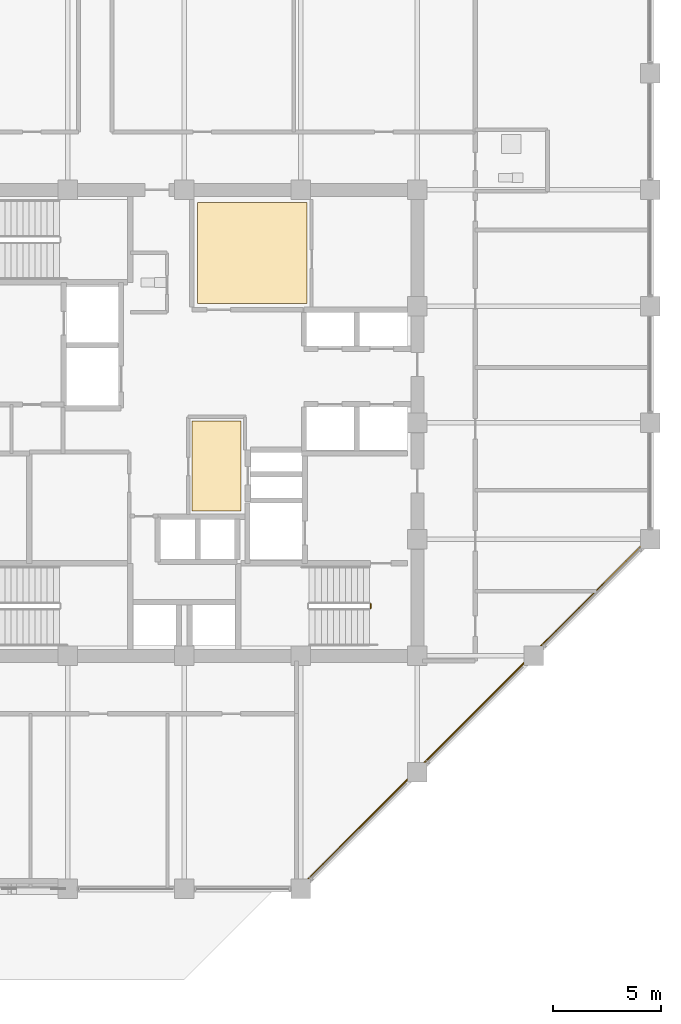
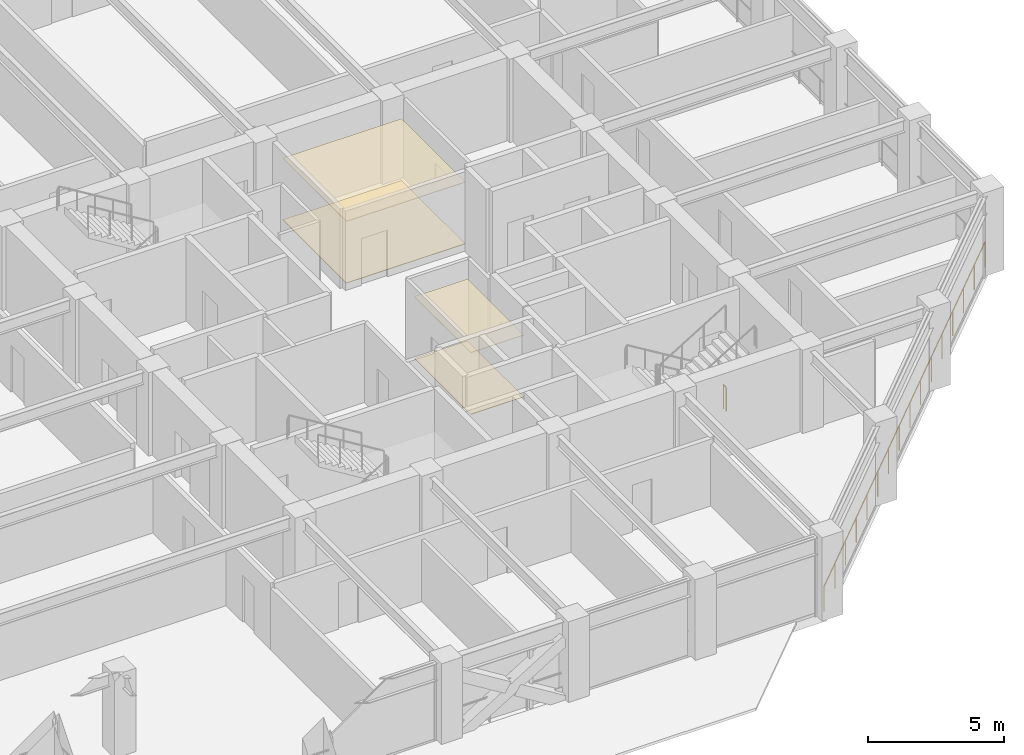
# One storey, part 33 of 36: 4 coverings, 2 railings.
"""IFC4 building model written with IfcOpenShell, lengths in metres."""

from ifc_helpers import new_model, si_unit, direction, frame, origin, origin_2d, place, context, subcontext, project, spatial, polyline, circle, outline, extrude, material, layer, layer_set, type_object, element, save


model = new_model("IFC4")

# Units and contexts
model_context = context("Model", 3, precision=1e-05, world=origin(), true_north=direction((0.0, 1.0)))
body_context = subcontext(model_context, "Body", "Model", "MODEL_VIEW")
ifc_project = project(units=[si_unit("LENGTHUNIT", "METRE"), si_unit("AREAUNIT", "SQUARE_METRE"), si_unit("VOLUMEUNIT", "CUBIC_METRE"), si_unit("PLANEANGLEUNIT", "RADIAN"), si_unit("MASSUNIT", "GRAM", prefix="KILO")], contexts=[model_context])

# Site, building, storey
site_placement = place(None, origin())
site = spatial("IfcSite", under=ifc_project, at=site_placement, CompositionType="ELEMENT")
building_placement = place(site_placement, origin())
building = spatial("IfcBuilding", under=site, at=building_placement, Name="Surkhivell Harbour Commons", CompositionType="ELEMENT")
storey_placement = place(building_placement, frame((0.0, 0.0, 171.0)))
storey = spatial("IfcBuildingStorey", under=building, at=storey_placement, Name="L44", CompositionType="ELEMENT", Elevation=171.0)

# Coverings
ifc_material_1 = material(Name="Perforated acoustic mineral-fibre ceiling tile", Category="other")
ifc_layer_1 = layer(ifc_material_1, 0.02490234375)
ifc_layer_set_1 = layer_set([ifc_layer_1], Name="Perforated acoustic mineral-fibre ceiling tile")
covering_type_1 = type_object("IfcCoveringType", Name="COV-CEIL-AC", PredefinedType="CEILING", material=ifc_layer_set_1)
covering_1_placement = place(storey_placement, frame((0.0, 0.0, 2.77490234375)))
element("IfcCovering", 1, at=covering_1_placement, inside=storey, type_object=covering_type_1, Name="L44 Suspended Acoustic Ceiling 1", PredefinedType="CEILING", context=body_context, shape_type="SweptSolid", body=[
    extrude(outline(polyline([(0.3701171875, -4.080078125), (2.6298828125, -4.080078125), (2.6298828125, 0.080078125), (0.3701171875, 0.080078125), (0.3701171875, -4.080078125)])), origin(), (0.0, 0.0, 1.0), 0.025146484375),
])
ifc_material_2 = material(Name="Moisture-resistant gypsum acoustic ceiling board", Category="other")
ifc_layer_2 = layer(ifc_material_2, 0.030029296875)
ifc_layer_set_2 = layer_set([ifc_layer_2], Name="Moisture-resistant gypsum acoustic ceiling board")
covering_type_2 = type_object("IfcCoveringType", Name="COV-CEIL-GYP", PredefinedType="CEILING", material=ifc_layer_set_2)
covering_2_placement = place(storey_placement, frame((0.0, 0.0, 2.77001953125)))
element("IfcCovering", 2, at=covering_2_placement, inside=storey, type_object=covering_type_2, Name="L44 Suspended Acoustic Ceiling 2", PredefinedType="CEILING", context=body_context, shape_type="SweptSolid", body=[
    extrude(outline(polyline([(0.6201171875, 5.52001953125), (5.679931640625, 5.52001953125), (5.679931640625, 10.219970703125), (0.6201171875, 10.219970703125), (0.6201171875, 5.52001953125)])), origin(), (0.0, 0.0, 1.0), 0.030029296875),
])
ifc_material_3 = material(Name="Engineered acoustic oak timber flooring", Category="wood")
ifc_layer_3 = layer(ifc_material_3, 0.02001953125)
ifc_layer_set_3 = layer_set([ifc_layer_3], Name="Engineered acoustic oak timber flooring")
covering_type_3 = type_object("IfcCoveringType", Name="COV-FLR-TIM", PredefinedType="FLOORING", material=ifc_layer_set_3)
covering_3_placement = place(storey_placement, origin())
element("IfcCovering", 3, at=covering_3_placement, inside=storey, type_object=covering_type_3, Name="L44 Interior Floor Finish 1", PredefinedType="FLOORING", context=body_context, shape_type="SweptSolid", body=[
    extrude(outline(polyline([(0.3701171875, -4.080078125), (2.6298828125, -4.080078125), (2.6298828125, 0.080078125), (0.3701171875, 0.080078125), (0.3701171875, -4.080078125)])), origin(), (0.0, 0.0, 1.0), 0.02001953125),
])
covering_4_placement = place(storey_placement, origin())
element("IfcCovering", 4, at=covering_4_placement, inside=storey, type_object=covering_type_3, Name="L44 Interior Floor Finish 2", PredefinedType="FLOORING", context=body_context, shape_type="SweptSolid", body=[
    extrude(outline(polyline([(0.6201171875, 5.52001953125), (5.679931640625, 5.52001953125), (5.679931640625, 10.219970703125), (0.6201171875, 10.219970703125), (0.6201171875, 5.52001953125)])), origin(), (0.0, 0.0, 1.0), 0.02001953125),
])

# Railings
ifc_material_4 = material(Name="Laminated safety glass and stainless steel S355 balustrade", Category="steel")
railing_type_1 = type_object("IfcRailingType", Name="RAL-BAL-1150", PredefinedType="BALUSTRADE", material=ifc_material_4)
railing_1_placement = place(storey_placement, frame((5.33642578125, -21.536376953125, 0.0)))
element("IfcRailing", 5, at=railing_1_placement, inside=storey, type_object=railing_type_1, Name="L44 Perimeter Safety Guard 02", PredefinedType="BALUSTRADE", context=body_context, shape_type="SweptSolid", body=[
    extrude(circle(Radius=0.02392578125, at=origin_2d()), frame((0.0, 0.0, 1.1259765625), z_axis=(0.707106781187, 0.707106781187, 0.0), x_axis=(-0.707106781187, 0.707106781187, 0.0)), (0.0, 0.0, 1.0), 22.91015625),
    extrude(circle(Radius=0.02099609375, at=origin_2d()), origin(), (0.0, 0.0, 1.0), 1.101806640625),
    extrude(circle(Radius=0.02099609375, at=origin_2d()), frame((1.080078125, 1.080078125, 0.0)), (0.0, 0.0, 1.0), 1.101806640625),
    extrude(circle(Radius=0.02099609375, at=origin_2d()), frame((2.159912109375, 2.159912109375, 0.0)), (0.0, 0.0, 1.0), 1.101806640625),
    extrude(circle(Radius=0.02099609375, at=origin_2d()), frame((3.239990234375, 3.239990234375, 0.0)), (0.0, 0.0, 1.0), 1.101806640625),
    extrude(circle(Radius=0.02099609375, at=origin_2d()), frame((4.320068359375, 4.320068359375, 0.0)), (0.0, 0.0, 1.0), 1.101806640625),
    extrude(circle(Radius=0.02099609375, at=origin_2d()), frame((5.39990234375, 5.39990234375, 0.0)), (0.0, 0.0, 1.0), 1.101806640625),
    extrude(circle(Radius=0.02099609375, at=origin_2d()), frame((6.47998046875, 6.47998046875, 0.0)), (0.0, 0.0, 1.0), 1.101806640625),
    extrude(circle(Radius=0.02099609375, at=origin_2d()), frame((7.56005859375, 7.56005859375, 0.0)), (0.0, 0.0, 1.0), 1.101806640625),
    extrude(circle(Radius=0.02099609375, at=origin_2d()), frame((8.639892578125, 8.639892578125, 0.0)), (0.0, 0.0, 1.0), 1.101806640625),
    extrude(circle(Radius=0.02099609375, at=origin_2d()), frame((9.719970703125, 9.719970703125, 0.0)), (0.0, 0.0, 1.0), 1.101806640625),
    extrude(circle(Radius=0.02099609375, at=origin_2d()), frame((10.800048828125, 10.800048828125, 0.0)), (0.0, 0.0, 1.0), 1.101806640625),
    extrude(circle(Radius=0.02099609375, at=origin_2d()), frame((11.8798828125, 11.8798828125, 0.0)), (0.0, 0.0, 1.0), 1.101806640625),
    extrude(circle(Radius=0.02099609375, at=origin_2d()), frame((12.9599609375, 12.9599609375, 0.0)), (0.0, 0.0, 1.0), 1.101806640625),
    extrude(circle(Radius=0.02099609375, at=origin_2d()), frame((14.0400390625, 14.0400390625, 0.0)), (0.0, 0.0, 1.0), 1.101806640625),
    extrude(circle(Radius=0.02099609375, at=origin_2d()), frame((15.119873046875, 15.119873046875, 0.0)), (0.0, 0.0, 1.0), 1.101806640625),
    extrude(circle(Radius=0.02099609375, at=origin_2d()), frame((16.199951171875, 16.199951171875, 0.0)), (0.0, 0.0, 1.0), 1.101806640625),
])
ifc_material_5 = material(Name="Galvanised and painted steel S355 guard rail", Category="steel")
railing_type_2 = type_object("IfcRailingType", Name="RAL-ST-GRD1100", PredefinedType="GUARDRAIL", material=ifc_material_5)
railing_2_placement = place(storey_placement, frame((8.639892578125, -8.389892578125, 0.0)))
element("IfcRailing", 6, at=railing_2_placement, inside=storey, type_object=railing_type_2, Name="L44 ST2 stair guard 4", PredefinedType="GUARDRAIL", context=body_context, shape_type="SweptSolid", body=[
    extrude(circle(Radius=0.02392578125, at=origin_2d()), frame((0.0, 0.0, 1.076171875), z_axis=(0.0, -1.0, 0.0), x_axis=(1.0, 0.0, 0.0)), (0.0, 0.0, 1.0), 0.2001953125),
    extrude(circle(Radius=0.02099609375, at=origin_2d()), origin(), (0.0, 0.0, 1.0), 1.052001953125),
    extrude(circle(Radius=0.02099609375, at=origin_2d()), frame((0.0, -0.2001953125, 0.0)), (0.0, 0.0, 1.0), 1.052001953125),
])

save(model, "model.ifc")
